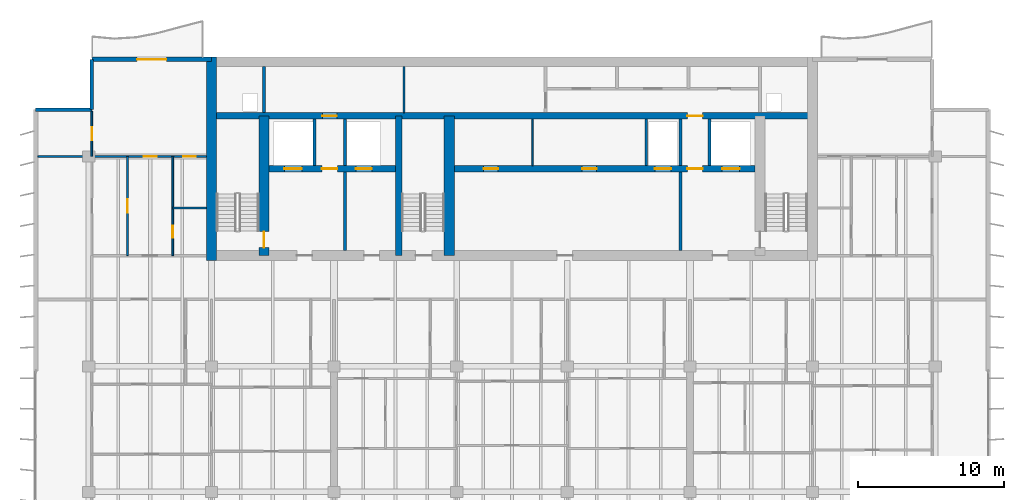
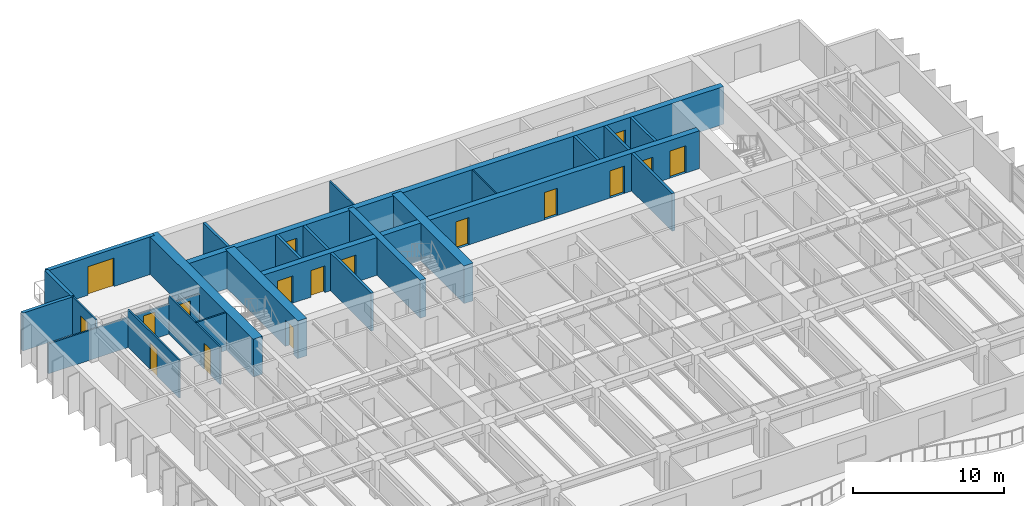
# One storey, part 11 of 17: 24 walls, 17 doors, 17 openings.
"""IFC4 building model written with IfcOpenShell, lengths in metres."""

from ifc_helpers import new_model, si_unit, direction, frame, frame_2d, origin, place, context, subcontext, project, spatial, rectangle, extrude, material, layer, layer_set, type_object, element, fill, save


model = new_model("IFC4")

# Units and contexts
model_context = context("Model", 3, precision=1e-05, world=origin(), true_north=direction((0.0, 1.0)))
body_context = subcontext(model_context, "Body", "Model", "MODEL_VIEW")
ifc_project = project(units=[si_unit("LENGTHUNIT", "METRE"), si_unit("AREAUNIT", "SQUARE_METRE"), si_unit("VOLUMEUNIT", "CUBIC_METRE"), si_unit("PLANEANGLEUNIT", "RADIAN"), si_unit("MASSUNIT", "GRAM", prefix="KILO")], contexts=[model_context])

# Site, building, storey
site_placement = place(None, origin())
site = spatial("IfcSite", under=ifc_project, at=site_placement, CompositionType="ELEMENT")
building_placement = place(site_placement, origin())
building = spatial("IfcBuilding", under=site, at=building_placement, Name="Caelmar Bay Residences", CompositionType="ELEMENT")
storey_placement = place(building_placement, frame((0.0, 0.0, 204.89990234375)))
storey = spatial("IfcBuildingStorey", under=building, at=storey_placement, Name="L57", CompositionType="ELEMENT", Elevation=204.89990234375)

# Wall
ifc_material_1 = material(Name="Concrete f'c 55 MPa (8,000 psi)", Category="concrete")
ifc_layer_1 = layer(ifc_material_1, 0.699951171875)
ifc_layer_set_1 = layer_set([ifc_layer_1], Name="Concrete f'c 55 MPa (8,000 psi)")
wall_type_1 = type_object("IfcWallType", Name="SW-COR-700", PredefinedType="SHEAR", material=ifc_layer_set_1)
wall_1_placement = place(storey_placement, frame((18.300048828125, 36.64990234375, 0.0), z_axis=(0.0, 0.0, 1.0), x_axis=(0.0, 1.0, 0.0)))
element("IfcWall", 1, at=wall_1_placement, inside=storey, type_object=wall_type_1, Name="L57 Rear Core West Shear Wall", PredefinedType="SHEAR", context=body_context, shape_type="SweptSolid", body=[
    extrude(rectangle(XDim=13.9501953125, YDim=0.699951171875, at=frame_2d((6.97509765625, 0.0))), origin(), (0.0, 0.0, 1.0), 3.050048828125),
])

# Wall, opening, door
wall_2_placement = place(storey_placement, frame((21.89990234375, 37.0, 0.0), z_axis=(0.0, 0.0, 1.0), x_axis=(0.0, 1.0, 0.0)))
wall_2 = element("IfcWall", 2, at=wall_2_placement, inside=storey, type_object=wall_type_1, Name="L57 Core Structural Web Wall ST1E", PredefinedType="SHEAR", context=body_context, shape_type="SweptSolid", body=[
    extrude(rectangle(XDim=9.574951171875, YDim=0.699951171875, at=frame_2d((4.78759765625, 0.0))), origin(), (0.0, 0.0, 1.0), 3.050048828125),
])
opening_1_placement = place(wall_2_placement, frame((0.550048828125, 0.0, 0.0)))
opening_1 = element("IfcOpeningElement", 3, at=opening_1_placement, cuts=wall_2, Name="Opening D-L57-107", PredefinedType="OPENING", context=body_context, shape_type="SweptSolid", body=[
    extrude(rectangle(XDim=1.10009765625, YDim=2.14990234375, at=frame_2d((0.550048828125, 1.074951171875))), frame((0.0, 0.35986328125, 0.0), z_axis=(0.0, -1.0, 0.0), x_axis=(1.0, 0.0, 0.0)), (0.0, 0.0, 1.0), 0.719970703125),
])
ifc_material_2 = material(Name="Fire-rated steel and walnut architectural door assembly", Category="steel")
ifc_layer_2 = layer(ifc_material_2, 0.050048828125)
ifc_layer_set_2 = layer_set([ifc_layer_2], Name="Fire-rated steel and walnut architectural door assembly")
door_type_1 = type_object("IfcDoorType", Name="D-STAIR-1100", OperationType="NOTDEFINED", PredefinedType="DOOR", material=ifc_layer_set_2)
door_1_placement = place(opening_1_placement, origin())
door_1 = element("IfcDoor", 4, at=door_1_placement, inside=storey, type_object=door_type_1, Name="L57 Firefighting Lobby West Door", OperationType="SINGLE_SWING_LEFT", OverallHeight=2.14990234375, OverallWidth=1.10009765625, PredefinedType="DOOR", context=body_context, shape_type="SweptSolid", body=[
    extrude(rectangle(XDim=1.10009765625, YDim=2.14990234375, at=frame_2d((0.550048828125, 1.074951171875))), frame((0.0, 0.02490234375, 0.0), z_axis=(0.0, -1.0, 0.0), x_axis=(1.0, 0.0, 0.0)), (0.0, 0.0, 1.0), 0.050048828125),
])
fill(opening_1, door_1)

# Walls
wall_3_placement = place(storey_placement, frame((34.60009765625, 37.0, 0.0), z_axis=(0.0, 0.0, 1.0), x_axis=(0.0, 1.0, 0.0)))
element("IfcWall", 5, at=wall_3_placement, inside=storey, type_object=wall_type_1, Name="L57 Core Structural Web Wall ST3E", PredefinedType="SHEAR", context=body_context, shape_type="SweptSolid", body=[
    extrude(rectangle(XDim=9.574951171875, YDim=0.699951171875, at=frame_2d((4.78759765625, 0.0))), origin(), (0.0, 0.0, 1.0), 3.050048828125),
])
ifc_material_3 = material(Name="Concrete f'c 70 MPa (10,000 psi)", Category="concrete")
ifc_layer_3 = layer(ifc_material_3, 0.449951171875)
ifc_layer_set_3 = layer_set([ifc_layer_3], Name="Concrete f'c 70 MPa (10,000 psi)")
wall_type_2 = type_object("IfcWallType", Name="SW-WEB-450", PredefinedType="SHEAR", material=ifc_layer_set_3)
wall_4_placement = place(storey_placement, frame((31.125, 37.0, 0.0), z_axis=(0.0, 0.0, 1.0), x_axis=(0.0, 1.0, 0.0)))
element("IfcWall", 6, at=wall_4_placement, inside=storey, type_object=wall_type_2, Name="L57 Core Structural Web Wall ST3W", PredefinedType="SHEAR", context=body_context, shape_type="SweptSolid", body=[
    extrude(rectangle(XDim=9.574951171875, YDim=0.449951171875, at=frame_2d((4.78759765625, 0.0))), origin(), (0.0, 0.0, 1.0), 3.050048828125),
])

# Wall, openings, doors
wall_5_placement = place(storey_placement, frame((22.25, 42.949951171875, 0.0), z_axis=(0.0, 0.0, 1.0), x_axis=(1.0, 0.0, 0.0)))
wall_5 = element("IfcWall", 7, at=wall_5_placement, inside=storey, type_object=wall_type_2, Name="L57 Core Structural Web Wall LFR", PredefinedType="SHEAR", context=body_context, shape_type="SweptSolid", body=[
    extrude(rectangle(XDim=33.300048828125, YDim=0.449951171875, at=frame_2d((16.64990234375, 0.0))), origin(), (0.0, 0.0, 1.0), 3.050048828125),
])
opening_2_placement = place(wall_5_placement, frame((1.050048828125, 0.0, 0.0)))
opening_2 = element("IfcOpeningElement", 8, at=opening_2_placement, cuts=wall_5, Name="Opening LD2", PredefinedType="OPENING", context=body_context, shape_type="SweptSolid", body=[
    extrude(rectangle(XDim=1.199951171875, YDim=2.199951171875, at=frame_2d((0.60009765625, 1.10009765625))), frame((0.0, 0.23486328125, 0.0), z_axis=(0.0, -1.0, 0.0), x_axis=(1.0, 0.0, 0.0)), (0.0, 0.0, 1.0), 0.469970703125),
])
opening_3_placement = place(wall_5_placement, frame((31.050048828125, 0.0, 0.0)))
opening_3 = element("IfcOpeningElement", 9, at=opening_3_placement, cuts=wall_5, Name="Opening LD2", PredefinedType="OPENING", context=body_context, shape_type="SweptSolid", body=[
    extrude(rectangle(XDim=1.199951171875, YDim=2.199951171875, at=frame_2d((0.60009765625, 1.10009765625))), frame((0.0, 0.23486328125, 0.0), z_axis=(0.0, -1.0, 0.0), x_axis=(1.0, 0.0, 0.0)), (0.0, 0.0, 1.0), 0.469970703125),
])
opening_4_placement = place(wall_5_placement, frame((26.449951171875, 0.0, 0.0)))
opening_4 = element("IfcOpeningElement", 10, at=opening_4_placement, cuts=wall_5, Name="Opening LD1", PredefinedType="OPENING", context=body_context, shape_type="SweptSolid", body=[
    extrude(rectangle(XDim=1.10009765625, YDim=2.199951171875, at=frame_2d((0.550048828125, 1.10009765625))), frame((0.0, 0.23486328125, 0.0), z_axis=(0.0, -1.0, 0.0), x_axis=(1.0, 0.0, 0.0)), (0.0, 0.0, 1.0), 0.469970703125),
])
opening_5_placement = place(wall_5_placement, frame((5.949951171875, 0.0, 0.0)))
opening_5 = element("IfcOpeningElement", 11, at=opening_5_placement, cuts=wall_5, Name="Opening LD1", PredefinedType="OPENING", context=body_context, shape_type="SweptSolid", body=[
    extrude(rectangle(XDim=1.10009765625, YDim=2.199951171875, at=frame_2d((0.550048828125, 1.10009765625))), frame((0.0, 0.23486328125, 0.0), z_axis=(0.0, -1.0, 0.0), x_axis=(1.0, 0.0, 0.0)), (0.0, 0.0, 1.0), 0.469970703125),
])
opening_6_placement = place(wall_5_placement, frame((3.625, 0.0, 0.0)))
opening_6 = element("IfcOpeningElement", 12, at=opening_6_placement, cuts=wall_5, Name="Opening D-L57-108", PredefinedType="OPENING", context=body_context, shape_type="SweptSolid", body=[
    extrude(rectangle(XDim=1.050048828125, YDim=2.14990234375, at=frame_2d((0.52490234375, 1.074951171875))), frame((0.0, 0.23486328125, 0.0), z_axis=(0.0, -1.0, 0.0), x_axis=(1.0, 0.0, 0.0)), (0.0, 0.0, 1.0), 0.469970703125),
])
opening_7_placement = place(wall_5_placement, frame((28.675048828125, 0.0, 0.0)))
opening_7 = element("IfcOpeningElement", 13, at=opening_7_placement, cuts=wall_5, Name="Opening D-L57-111", PredefinedType="OPENING", context=body_context, shape_type="SweptSolid", body=[
    extrude(rectangle(XDim=1.050048828125, YDim=2.14990234375, at=frame_2d((0.52490234375, 1.074951171875))), frame((0.0, 0.23486328125, 0.0), z_axis=(0.0, -1.0, 0.0), x_axis=(1.0, 0.0, 0.0)), (0.0, 0.0, 1.0), 0.469970703125),
])
opening_8_placement = place(wall_5_placement, frame((14.699951171875, 0.0, 0.0)))
opening_8 = element("IfcOpeningElement", 14, at=opening_8_placement, cuts=wall_5, Name="Opening D-L57-114", PredefinedType="OPENING", context=body_context, shape_type="SweptSolid", body=[
    extrude(rectangle(XDim=1.0, YDim=2.199951171875, at=frame_2d((0.5, 1.10009765625))), frame((0.0, 0.23486328125, 0.0), z_axis=(0.0, -1.0, 0.0), x_axis=(1.0, 0.0, 0.0)), (0.0, 0.0, 1.0), 0.469970703125),
])
opening_9_placement = place(wall_5_placement, frame((21.449951171875, 0.0, 0.0)))
opening_9 = element("IfcOpeningElement", 15, at=opening_9_placement, cuts=wall_5, Name="Opening D-L57-115", PredefinedType="OPENING", context=body_context, shape_type="SweptSolid", body=[
    extrude(rectangle(XDim=1.0, YDim=2.199951171875, at=frame_2d((0.5, 1.10009765625))), frame((0.0, 0.23486328125, 0.0), z_axis=(0.0, -1.0, 0.0), x_axis=(1.0, 0.0, 0.0)), (0.0, 0.0, 1.0), 0.469970703125),
])
ifc_layer_4 = layer(ifc_material_2, 0.050048828125)
ifc_layer_set_4 = layer_set([ifc_layer_4], Name="Fire-rated steel and walnut architectural door assembly")
door_type_2 = type_object("IfcDoorType", Name="D-FSAE-1050", OperationType="NOTDEFINED", PredefinedType="DOOR", material=ifc_layer_set_4)
door_2_placement = place(opening_6_placement, origin())
door_2 = element("IfcDoor", 16, at=door_2_placement, inside=storey, type_object=door_type_2, Name="L57 Firefighting Lobby West Door", OperationType="SINGLE_SWING_RIGHT", OverallHeight=2.14990234375, OverallWidth=1.050048828125, PredefinedType="DOOR", context=body_context, shape_type="SweptSolid", body=[
    extrude(rectangle(XDim=1.050048828125, YDim=2.14990234375, at=frame_2d((0.52490234375, 1.074951171875))), frame((0.0, 0.02490234375, 0.0), z_axis=(0.0, -1.0, 0.0), x_axis=(1.0, 0.0, 0.0)), (0.0, 0.0, 1.0), 0.050048828125),
])
fill(opening_6, door_2)
door_3_placement = place(opening_7_placement, origin())
door_3 = element("IfcDoor", 17, at=door_3_placement, inside=storey, type_object=door_type_2, Name="L57 Firefighting Lobby East Door", OperationType="SINGLE_SWING_LEFT", OverallHeight=2.14990234375, OverallWidth=1.050048828125, PredefinedType="DOOR", context=body_context, shape_type="SweptSolid", body=[
    extrude(rectangle(XDim=1.050048828125, YDim=2.14990234375, at=frame_2d((0.52490234375, 1.074951171875))), frame((0.0, 0.02490234375, 0.0), z_axis=(0.0, -1.0, 0.0), x_axis=(1.0, 0.0, 0.0)), (0.0, 0.0, 1.0), 0.050048828125),
])
fill(opening_7, door_3)
ifc_material_4 = material(Name="Brushed bronze stainless-steel fire-rated lift landing doors", Category="steel")
ifc_layer_5 = layer(ifc_material_4, 0.050048828125)
ifc_layer_set_5 = layer_set([ifc_layer_5], Name="Brushed bronze stainless-steel fire-rated lift landing doors")
door_type_3 = type_object("IfcDoorType", Name="D-LND-1100", OperationType="DOUBLE_DOOR_SLIDING", PredefinedType="DOOR", material=ifc_layer_set_5)
door_4_placement = place(opening_4_placement, origin())
door_4 = element("IfcDoor", 18, at=door_4_placement, inside=storey, type_object=door_type_3, Name="L57 LP6 Sliding Landing Door", OperationType="DOUBLE_DOOR_SLIDING", OverallHeight=2.199951171875, OverallWidth=1.10009765625, PredefinedType="DOOR", context=body_context, shape_type="SweptSolid", body=[
    extrude(rectangle(XDim=1.10009765625, YDim=2.199951171875, at=frame_2d((0.550048828125, 1.10009765625))), frame((0.0, 0.02490234375, 0.0), z_axis=(0.0, -1.0, 0.0), x_axis=(1.0, 0.0, 0.0)), (0.0, 0.0, 1.0), 0.050048828125),
])
fill(opening_4, door_4)
door_5_placement = place(opening_5_placement, origin())
door_5 = element("IfcDoor", 19, at=door_5_placement, inside=storey, type_object=door_type_3, Name="L57 LP7 Sliding Landing Door", OperationType="DOUBLE_DOOR_SLIDING", OverallHeight=2.199951171875, OverallWidth=1.10009765625, PredefinedType="DOOR", context=body_context, shape_type="SweptSolid", body=[
    extrude(rectangle(XDim=1.10009765625, YDim=2.199951171875, at=frame_2d((0.550048828125, 1.10009765625))), frame((0.0, 0.02490234375, 0.0), z_axis=(0.0, -1.0, 0.0), x_axis=(1.0, 0.0, 0.0)), (0.0, 0.0, 1.0), 0.050048828125),
])
fill(opening_5, door_5)
ifc_material_5 = material(Name="Brushed stainless-steel FSAE sliding landing door", Category="steel")
ifc_layer_6 = layer(ifc_material_5, 0.050048828125)
ifc_layer_set_6 = layer_set([ifc_layer_6], Name="Brushed stainless-steel FSAE sliding landing door")
door_type_4 = type_object("IfcDoorType", Name="D-LND-1200", OperationType="DOUBLE_DOOR_SLIDING", PredefinedType="DOOR", material=ifc_layer_set_6)
door_6_placement = place(opening_2_placement, origin())
door_6 = element("IfcDoor", 20, at=door_6_placement, inside=storey, type_object=door_type_4, Name="L57 LF1 Sliding Landing Door", OperationType="DOUBLE_DOOR_SLIDING", OverallHeight=2.199951171875, OverallWidth=1.199951171875, PredefinedType="DOOR", context=body_context, shape_type="SweptSolid", body=[
    extrude(rectangle(XDim=1.199951171875, YDim=2.199951171875, at=frame_2d((0.60009765625, 1.10009765625))), frame((0.0, 0.02490234375, 0.0), z_axis=(0.0, -1.0, 0.0), x_axis=(1.0, 0.0, 0.0)), (0.0, 0.0, 1.0), 0.050048828125),
])
fill(opening_2, door_6)
door_7_placement = place(opening_3_placement, origin())
door_7 = element("IfcDoor", 21, at=door_7_placement, inside=storey, type_object=door_type_4, Name="L57 LF2 Sliding Landing Door", OperationType="DOUBLE_DOOR_SLIDING", OverallHeight=2.199951171875, OverallWidth=1.199951171875, PredefinedType="DOOR", context=body_context, shape_type="SweptSolid", body=[
    extrude(rectangle(XDim=1.199951171875, YDim=2.199951171875, at=frame_2d((0.60009765625, 1.10009765625))), frame((0.0, 0.02490234375, 0.0), z_axis=(0.0, -1.0, 0.0), x_axis=(1.0, 0.0, 0.0)), (0.0, 0.0, 1.0), 0.050048828125),
])
fill(opening_3, door_7)
ifc_layer_7 = layer(ifc_material_2, 0.050048828125)
ifc_layer_set_7 = layer_set([ifc_layer_7], Name="Fire-rated steel and walnut architectural door assembly")
door_type_5 = type_object("IfcDoorType", Name="D-UNIT-1000", OperationType="NOTDEFINED", PredefinedType="DOOR", material=ifc_layer_set_7)
door_8_placement = place(opening_8_placement, origin())
door_8 = element("IfcDoor", 22, at=door_8_placement, inside=storey, type_object=door_type_5, Name="L57 Executive Study Door", OperationType="SINGLE_SWING_RIGHT", OverallHeight=2.199951171875, OverallWidth=1.0, PredefinedType="DOOR", context=body_context, shape_type="SweptSolid", body=[
    extrude(rectangle(XDim=1.0, YDim=2.199951171875, at=frame_2d((0.5, 1.10009765625))), frame((0.0, 0.02490234375, 0.0), z_axis=(0.0, -1.0, 0.0), x_axis=(1.0, 0.0, 0.0)), (0.0, 0.0, 1.0), 0.050048828125),
])
fill(opening_8, door_8)
door_9_placement = place(opening_9_placement, origin())
door_9 = element("IfcDoor", 23, at=door_9_placement, inside=storey, type_object=door_type_5, Name="L57 Residents Reading Lounge Door", OperationType="SINGLE_SWING_LEFT", OverallHeight=2.199951171875, OverallWidth=1.0, PredefinedType="DOOR", context=body_context, shape_type="SweptSolid", body=[
    extrude(rectangle(XDim=1.0, YDim=2.199951171875, at=frame_2d((0.5, 1.10009765625))), frame((0.0, 0.02490234375, 0.0), z_axis=(0.0, -1.0, 0.0), x_axis=(1.0, 0.0, 0.0)), (0.0, 0.0, 1.0), 0.050048828125),
])
fill(opening_9, door_9)

wall_6_placement = place(storey_placement, frame((18.300048828125, 46.574951171875, 0.0), z_axis=(0.0, 0.0, 1.0), x_axis=(1.0, 0.0, 0.0)))
wall_6 = element("IfcWall", 24, at=wall_6_placement, inside=storey, type_object=wall_type_2, Name="L57 Core Structural Web Wall SRVS", PredefinedType="SHEAR", context=body_context, shape_type="SweptSolid", body=[
    extrude(rectangle(XDim=41.199951171875, YDim=0.449951171875, at=frame_2d((20.60009765625, 0.0))), origin(), (0.0, 0.0, 1.0), 3.050048828125),
])
opening_10_placement = place(wall_6_placement, frame((7.60009765625, 0.0, 0.0)))
opening_10 = element("IfcOpeningElement", 25, at=opening_10_placement, cuts=wall_6, Name="Opening D-L57-116", PredefinedType="OPENING", context=body_context, shape_type="SweptSolid", body=[
    extrude(rectangle(XDim=1.0, YDim=2.199951171875, at=frame_2d((0.5, 1.10009765625))), frame((0.0, 0.23486328125, 0.0), z_axis=(0.0, -1.0, 0.0), x_axis=(1.0, 0.0, 0.0)), (0.0, 0.0, 1.0), 0.469970703125),
])
opening_11_placement = place(wall_6_placement, frame((32.625, 0.0, 0.0)))
opening_11 = element("IfcOpeningElement", 26, at=opening_11_placement, cuts=wall_6, Name="Opening D-L57-117", PredefinedType="OPENING", context=body_context, shape_type="SweptSolid", body=[
    extrude(rectangle(XDim=1.050048828125, YDim=2.14990234375, at=frame_2d((0.52490234375, 1.074951171875))), frame((0.0, 0.23486328125, 0.0), z_axis=(0.0, -1.0, 0.0), x_axis=(1.0, 0.0, 0.0)), (0.0, 0.0, 1.0), 0.469970703125),
])
door_10_placement = place(opening_11_placement, origin())
door_10 = element("IfcDoor", 27, at=door_10_placement, inside=storey, type_object=door_type_2, Name="L57 East Core Service Corridor Door", OperationType="SINGLE_SWING_LEFT", OverallHeight=2.14990234375, OverallWidth=1.050048828125, PredefinedType="DOOR", context=body_context, shape_type="SweptSolid", body=[
    extrude(rectangle(XDim=1.050048828125, YDim=2.14990234375, at=frame_2d((0.52490234375, 1.074951171875))), frame((0.0, 0.02490234375, 0.0), z_axis=(0.0, -1.0, 0.0), x_axis=(1.0, 0.0, 0.0)), (0.0, 0.0, 1.0), 0.050048828125),
])
fill(opening_11, door_10)
door_11_placement = place(opening_10_placement, origin())
door_11 = element("IfcDoor", 28, at=door_11_placement, inside=storey, type_object=door_type_5, Name="L57 Package Concierge Office Door", OperationType="SINGLE_SWING_RIGHT", OverallHeight=2.199951171875, OverallWidth=1.0, PredefinedType="DOOR", context=body_context, shape_type="SweptSolid", body=[
    extrude(rectangle(XDim=1.0, YDim=2.199951171875, at=frame_2d((0.5, 1.10009765625))), frame((0.0, 0.02490234375, 0.0), z_axis=(0.0, -1.0, 0.0), x_axis=(1.0, 0.0, 0.0)), (0.0, 0.0, 1.0), 0.050048828125),
])
fill(opening_10, door_11)

# Walls
ifc_material_6 = material(Name="Precast concrete f'c 40 MPa (6,000 psi)", Category="concrete")
ifc_layer_8 = layer(ifc_material_6, 0.25)
ifc_layer_set_8 = layer_set([ifc_layer_8], Name="Precast concrete f'c 40 MPa (6,000 psi)")
wall_type_3 = type_object("IfcWallType", Name="W-EXT-250", PredefinedType="ELEMENTEDWALL", material=ifc_layer_set_8)
wall_7_placement = place(storey_placement, frame((6.25, 47.0, 0.0), z_axis=(0.0, 0.0, 1.0), x_axis=(1.0, 0.0, 0.0)))
element("IfcWall", 29, at=wall_7_placement, inside=storey, type_object=wall_type_3, Name="L57 NNW-H Notch Wall", PredefinedType="ELEMENTEDWALL", context=body_context, shape_type="SweptSolid", body=[
    extrude(rectangle(XDim=3.85009765625, YDim=0.25, at=frame_2d((1.925048828125, 0.0))), origin(), (0.0, 0.0, 1.0), 3.050048828125),
])
wall_8_placement = place(storey_placement, frame((10.10009765625, 47.0, 0.0), z_axis=(0.0, 0.0, 1.0), x_axis=(0.0, 1.0, 0.0)))
element("IfcWall", 30, at=wall_8_placement, inside=storey, type_object=wall_type_3, Name="L57 NNW-V Notch Wall", PredefinedType="ELEMENTEDWALL", context=body_context, shape_type="SweptSolid", body=[
    extrude(rectangle(XDim=3.449951171875, YDim=0.25, at=frame_2d((1.72509765625, 0.0))), origin(), (0.0, 0.0, 1.0), 3.050048828125),
])

# Wall, opening, door
ifc_layer_9 = layer(ifc_material_6, 0.300048828125)
ifc_layer_set_9 = layer_set([ifc_layer_9], Name="Precast concrete f'c 40 MPa (6,000 psi)")
wall_type_4 = type_object("IfcWallType", Name="W-EXT-300", PredefinedType="STANDARD", material=ifc_layer_set_9)
wall_9_placement = place(storey_placement, frame((10.10009765625, 50.449951171875, 0.0), z_axis=(0.0, 0.0, 1.0), x_axis=(1.0, 0.0, 0.0)))
wall_9 = element("IfcWall", 31, at=wall_9_placement, inside=storey, type_object=wall_type_4, Name="L57 North-West Wing Exterior Wall", PredefinedType="STANDARD", context=body_context, shape_type="SweptSolid", body=[
    extrude(rectangle(XDim=8.199951171875, YDim=0.300048828125, at=frame_2d((4.10009765625, 0.0))), origin(), (0.0, 0.0, 1.0), 3.050048828125),
])
opening_12_placement = place(wall_9_placement, frame((3.10009765625, 0.0, 0.0)))
opening_12 = element("IfcOpeningElement", 32, at=opening_12_placement, cuts=wall_9, Name="Opening L57-BDNW", PredefinedType="OPENING", context=body_context, shape_type="SweptSolid", body=[
    extrude(rectangle(XDim=2.0, YDim=2.300048828125, at=frame_2d((1.0, 1.14990234375))), frame((0.0, 0.159912109375, 0.0), z_axis=(0.0, -1.0, 0.0), x_axis=(1.0, 0.0, 0.0)), (0.0, 0.0, 1.0), 0.320068359375),
])
ifc_material_7 = material(Name="Anodised bronze thermally broken sliding glass door", Category="glass")
ifc_layer_10 = layer(ifc_material_7, 0.050048828125)
ifc_layer_set_10 = layer_set([ifc_layer_10], Name="Anodised bronze thermally broken sliding glass door")
door_type_6 = type_object("IfcDoorType", Name="D-BAL-2000", OperationType="DOUBLE_DOOR_SLIDING", PredefinedType="DOOR", material=ifc_layer_set_10)
door_12_placement = place(opening_12_placement, origin())
door_12 = element("IfcDoor", 33, at=door_12_placement, inside=storey, type_object=door_type_6, Name="L57 North-West Balcony Door", OperationType="DOUBLE_DOOR_SLIDING", OverallHeight=2.300048828125, OverallWidth=2.0, PredefinedType="DOOR", context=body_context, shape_type="SweptSolid", body=[
    extrude(rectangle(XDim=2.0, YDim=2.300048828125, at=frame_2d((1.0, 1.14990234375))), frame((0.0, 0.02490234375, 0.0), z_axis=(0.0, -1.0, 0.0), x_axis=(1.0, 0.0, 0.0)), (0.0, 0.0, 1.0), 0.050048828125),
])
fill(opening_12, door_12)

# Walls
ifc_material_8 = material(Name="Fire-rated masonry and gypsum shaftliner assembly 200 mm", Category="masonry")
ifc_layer_11 = layer(ifc_material_8, 0.199951171875)
ifc_layer_set_11 = layer_set([ifc_layer_11], Name="Fire-rated masonry and gypsum shaftliner assembly 200 mm")
wall_type_5 = type_object("IfcWallType", Name="W-FSAE-200", PredefinedType="PARTITIONING", material=ifc_layer_set_11)
wall_10_placement = place(storey_placement, frame((21.89990234375, 46.794921875, 0.0), z_axis=(0.0, 0.0, 1.0), x_axis=(0.0, 1.0, 0.0)))
element("IfcWall", 34, at=wall_10_placement, inside=storey, type_object=wall_type_5, Name="L57 Partition Wall V010", PredefinedType="PARTITIONING", context=body_context, shape_type="SweptSolid", body=[
    extrude(rectangle(XDim=3.16015625, YDim=0.199951171875, at=frame_2d((1.580078125, 0.0))), origin(), (0.0, 0.0, 1.0), 3.050048828125),
])
wall_11_placement = place(storey_placement, frame((25.35009765625, 43.169921875, 0.0), z_axis=(0.0, 0.0, 1.0), x_axis=(0.0, 1.0, 0.0)))
element("IfcWall", 35, at=wall_11_placement, inside=storey, type_object=wall_type_5, Name="L57 Partition Wall V012", PredefinedType="PARTITIONING", context=body_context, shape_type="SweptSolid", body=[
    extrude(rectangle(XDim=3.18505859375, YDim=0.199951171875, at=frame_2d((1.592529296875, 0.0))), origin(), (0.0, 0.0, 1.0), 3.050048828125),
])
wall_12_placement = place(storey_placement, frame((27.449951171875, 37.344970703125, 0.0), z_axis=(0.0, 0.0, 1.0), x_axis=(0.0, 1.0, 0.0)))
element("IfcWall", 36, at=wall_12_placement, inside=storey, type_object=wall_type_5, Name="L57 Partition Wall V016", PredefinedType="PARTITIONING", context=body_context, shape_type="SweptSolid", body=[
    extrude(rectangle(XDim=5.385009765625, YDim=0.199951171875, at=frame_2d((2.6923828125, 0.0))), origin(), (0.0, 0.0, 1.0), 3.050048828125),
])
for number, where, z_axis, x_axis, name in (
    (37, (27.449951171875, 43.169921875, 0.0), (0.0, 0.0, 1.0), (0.0, 1.0, 0.0), "L57 Partition Wall V017"),
    (38, (48.10009765625, 43.169921875, 0.0), (0.0, 0.0, 1.0), (0.0, 1.0, 0.0), "L57 Partition Wall V029"),
):
    element("IfcWall", number, at=place(storey_placement, frame(where, z_axis=z_axis, x_axis=x_axis)), inside=storey, type_object=wall_type_5, Name=name, PredefinedType="PARTITIONING", context=body_context, shape_type="SweptSolid", body=[
        extrude(rectangle(XDim=3.18505859375, YDim=0.199951171875, at=frame_2d((1.592529296875, 0.0))), origin(), (0.0, 0.0, 1.0), 3.050048828125),
    ])
wall_13_placement = place(storey_placement, frame((50.449951171875, 37.344970703125, 0.0), z_axis=(0.0, 0.0, 1.0), x_axis=(0.0, 1.0, 0.0)))
element("IfcWall", 39, at=wall_13_placement, inside=storey, type_object=wall_type_5, Name="L57 Partition Wall V031", PredefinedType="PARTITIONING", context=body_context, shape_type="SweptSolid", body=[
    extrude(rectangle(XDim=5.385009765625, YDim=0.199951171875, at=frame_2d((2.6923828125, 0.0))), origin(), (0.0, 0.0, 1.0), 3.050048828125),
])
for number, where, z_axis, x_axis, name in (
    (40, (50.449951171875, 43.169921875, 0.0), (0.0, 0.0, 1.0), (0.0, 1.0, 0.0), "L57 Partition Wall V032"),
    (41, (52.449951171875, 43.169921875, 0.0), (0.0, 0.0, 1.0), (0.0, 1.0, 0.0), "L57 Partition Wall V037"),
):
    element("IfcWall", number, at=place(storey_placement, frame(where, z_axis=z_axis, x_axis=x_axis)), inside=storey, type_object=wall_type_5, Name=name, PredefinedType="PARTITIONING", context=body_context, shape_type="SweptSolid", body=[
        extrude(rectangle(XDim=3.18505859375, YDim=0.199951171875, at=frame_2d((1.592529296875, 0.0))), origin(), (0.0, 0.0, 1.0), 3.050048828125),
    ])
ifc_material_9 = material(Name="Anodised bronze framed acoustic sliding study partition 100 mm")
ifc_layer_12 = layer(ifc_material_9, 0.10009765625)
ifc_layer_set_12 = layer_set([ifc_layer_12], Name="Anodised bronze framed acoustic sliding study partition 100 mm")
wall_type_6 = type_object("IfcWallType", Name="W-MOV-100", PredefinedType="MOVABLE", material=ifc_layer_set_12)
wall_14_placement = place(storey_placement, frame((40.300048828125, 43.169921875, 0.0), z_axis=(0.0, 0.0, 1.0), x_axis=(0.0, 1.0, 0.0)))
element("IfcWall", 42, at=wall_14_placement, inside=storey, type_object=wall_type_6, Name="L57 Partition Wall V023", PredefinedType="MOVABLE", context=body_context, shape_type="SweptSolid", body=[
    extrude(rectangle(XDim=3.18505859375, YDim=0.10009765625, at=frame_2d((1.592529296875, 0.0))), origin(), (0.0, 0.0, 1.0), 3.050048828125),
])

# Wall, opening, door
ifc_material_10 = material(Name="Acoustic metal-stud gypsum partition 120 mm")
ifc_layer_13 = layer(ifc_material_10, 0.1201171875)
ifc_layer_set_13 = layer_set([ifc_layer_13], Name="Acoustic metal-stud gypsum partition 120 mm")
wall_type_7 = type_object("IfcWallType", Name="W-PRT-120", PredefinedType="PARTITIONING", material=ifc_layer_set_13)
wall_15_placement = place(storey_placement, frame((10.10009765625, 43.804931640625, 0.0), z_axis=(0.0, 0.0, 1.0), x_axis=(0.0, 1.0, 0.0)))
wall_15 = element("IfcWall", 43, at=wall_15_placement, inside=storey, type_object=wall_type_7, Name="L57 Partition Wall V004", PredefinedType="PARTITIONING", context=body_context, shape_type="SweptSolid", body=[
    extrude(rectangle(XDim=3.074951171875, YDim=0.1201171875, at=frame_2d((1.53759765625, 0.0))), origin(), (0.0, 0.0, 1.0), 3.050048828125),
])
opening_13_placement = place(wall_15_placement, frame((1.08740234375, 0.0, 0.0)))
opening_13 = element("IfcOpeningElement", 44, at=opening_13_placement, cuts=wall_15, Name="Opening D-L57-164", PredefinedType="OPENING", context=body_context, shape_type="SweptSolid", body=[
    extrude(rectangle(XDim=0.89990234375, YDim=2.14990234375, at=frame_2d((0.449951171875, 1.074951171875))), frame((0.0, 0.070068359375, 0.0), z_axis=(0.0, -1.0, 0.0), x_axis=(1.0, 0.0, 0.0)), (0.0, 0.0, 1.0), 0.14013671875),
])
ifc_material_11 = material(Name="Solid walnut timber interior door leaf and frame", Category="wood")
ifc_layer_14 = layer(ifc_material_11, 0.050048828125)
ifc_layer_set_14 = layer_set([ifc_layer_14], Name="Solid walnut timber interior door leaf and frame")
door_type_7 = type_object("IfcDoorType", Name="D-ROOM-900", OperationType="NOTDEFINED", PredefinedType="DOOR", material=ifc_layer_set_14)
door_13_placement = place(opening_13_placement, origin())
door_13 = element("IfcDoor", 45, at=door_13_placement, inside=storey, type_object=door_type_7, Name="L57 Residence WA North Sitting Alcove Door", OperationType="SINGLE_SWING_RIGHT", OverallHeight=2.14990234375, OverallWidth=0.89990234375, PredefinedType="DOOR", context=body_context, shape_type="SweptSolid", body=[
    extrude(rectangle(XDim=0.89990234375, YDim=2.14990234375, at=frame_2d((0.449951171875, 1.074951171875))), frame((0.0, 0.02490234375, 0.0), z_axis=(0.0, -1.0, 0.0), x_axis=(1.0, 0.0, 0.0)), (0.0, 0.0, 1.0), 0.050048828125),
])
fill(opening_13, door_13)

wall_16_placement = place(storey_placement, frame((12.5419921875, 37.0, 0.0), z_axis=(0.0, 0.0, 1.0), x_axis=(0.0, 1.0, 0.0)))
wall_16 = element("IfcWall", 46, at=wall_16_placement, inside=storey, type_object=wall_type_7, Name="L57 Partition Wall V005", PredefinedType="PARTITIONING", context=body_context, shape_type="SweptSolid", body=[
    extrude(rectangle(XDim=6.800048828125, YDim=0.1201171875, at=frame_2d((3.39990234375, 0.0))), origin(), (0.0, 0.0, 1.0), 3.050048828125),
])
opening_14_placement = place(wall_16_placement, frame((2.949951171875, 0.0, 0.0)))
opening_14 = element("IfcOpeningElement", 47, at=opening_14_placement, cuts=wall_16, Name="Opening D-L57-158", PredefinedType="OPENING", context=body_context, shape_type="SweptSolid", body=[
    extrude(rectangle(XDim=0.89990234375, YDim=2.14990234375, at=frame_2d((0.449951171875, 1.074951171875))), frame((0.0, 0.070068359375, 0.0), z_axis=(0.0, -1.0, 0.0), x_axis=(1.0, 0.0, 0.0)), (0.0, 0.0, 1.0), 0.14013671875),
])
door_14_placement = place(opening_14_placement, origin())
door_14 = element("IfcDoor", 48, at=door_14_placement, inside=storey, type_object=door_type_7, Name="L57 Residence WA Dining Room Door", OperationType="SINGLE_SWING_RIGHT", OverallHeight=2.14990234375, OverallWidth=0.89990234375, PredefinedType="DOOR", context=body_context, shape_type="SweptSolid", body=[
    extrude(rectangle(XDim=0.89990234375, YDim=2.14990234375, at=frame_2d((0.449951171875, 1.074951171875))), frame((0.0, 0.02490234375, 0.0), z_axis=(0.0, -1.0, 0.0), x_axis=(1.0, 0.0, 0.0)), (0.0, 0.0, 1.0), 0.050048828125),
])
fill(opening_14, door_14)

wall_17_placement = place(storey_placement, frame((15.64990234375, 37.0, 0.0), z_axis=(0.0, 0.0, 1.0), x_axis=(0.0, 1.0, 0.0)))
wall_17 = element("IfcWall", 49, at=wall_17_placement, inside=storey, type_object=wall_type_7, Name="L57 Partition Wall V006", PredefinedType="PARTITIONING", context=body_context, shape_type="SweptSolid", body=[
    extrude(rectangle(XDim=6.800048828125, YDim=0.1201171875, at=frame_2d((3.39990234375, 0.0))), origin(), (0.0, 0.0, 1.0), 3.050048828125),
])
opening_15_placement = place(wall_17_placement, frame((1.20703125, 0.0, 0.0)))
opening_15 = element("IfcOpeningElement", 50, at=opening_15_placement, cuts=wall_17, Name="Opening D-L57-161", PredefinedType="OPENING", context=body_context, shape_type="SweptSolid", body=[
    extrude(rectangle(XDim=0.85009765625, YDim=2.10009765625, at=frame_2d((0.425048828125, 1.050048828125))), frame((0.0, 0.070068359375, 0.0), z_axis=(0.0, -1.0, 0.0), x_axis=(1.0, 0.0, 0.0)), (0.0, 0.0, 1.0), 0.14013671875),
])
ifc_layer_15 = layer(ifc_material_11, 0.050048828125)
ifc_layer_set_15 = layer_set([ifc_layer_15], Name="Solid walnut timber interior door leaf and frame")
door_type_8 = type_object("IfcDoorType", Name="D-BATH-850", OperationType="NOTDEFINED", PredefinedType="DOOR", material=ifc_layer_set_15)
door_15_placement = place(opening_15_placement, origin())
door_15 = element("IfcDoor", 51, at=door_15_placement, inside=storey, type_object=door_type_8, Name="L57 Residence WA Walk-In Closet Door", OperationType="SINGLE_SWING_LEFT", OverallHeight=2.10009765625, OverallWidth=0.85009765625, PredefinedType="DOOR", context=body_context, shape_type="SweptSolid", body=[
    extrude(rectangle(XDim=0.85009765625, YDim=2.10009765625, at=frame_2d((0.425048828125, 1.050048828125))), frame((0.0, 0.02490234375, 0.0), z_axis=(0.0, -1.0, 0.0), x_axis=(1.0, 0.0, 0.0)), (0.0, 0.0, 1.0), 0.050048828125),
])
fill(opening_15, door_15)

# Walls
wall_18_placement = place(storey_placement, frame((31.5, 46.794921875, 0.0), z_axis=(0.0, 0.0, 1.0), x_axis=(0.0, 1.0, 0.0)))
element("IfcWall", 52, at=wall_18_placement, inside=storey, type_object=wall_type_7, Name="L57 Partition Wall V019", PredefinedType="PARTITIONING", context=body_context, shape_type="SweptSolid", body=[
    extrude(rectangle(XDim=3.16015625, YDim=0.1201171875, at=frame_2d((1.580078125, 0.0))), origin(), (0.0, 0.0, 1.0), 3.050048828125),
])
wall_19_placement = place(storey_placement, frame((15.64990234375, 40.263916015625, 0.0), z_axis=(0.0, 0.0, 1.0), x_axis=(1.0, 0.0, 0.0)))
element("IfcWall", 53, at=wall_19_placement, inside=storey, type_object=wall_type_7, Name="L57 Partition Wall H072", PredefinedType="PARTITIONING", context=body_context, shape_type="SweptSolid", body=[
    extrude(rectangle(XDim=2.30517578125, YDim=0.1201171875, at=frame_2d((1.152587890625, 0.0))), origin(), (0.0, 0.0, 1.0), 3.050048828125),
])

# Wall, openings, doors
wall_20_placement = place(storey_placement, frame((6.39501953125, 43.800048828125, 0.0), z_axis=(0.0, 0.0, 1.0), x_axis=(1.0, 0.0, 0.0)))
wall_20 = element("IfcWall", 54, at=wall_20_placement, inside=storey, type_object=wall_type_7, Name="L57 Partition Wall H074", PredefinedType="PARTITIONING", context=body_context, shape_type="SweptSolid", body=[
    extrude(rectangle(XDim=11.56005859375, YDim=0.1201171875, at=frame_2d((5.780029296875, 0.0))), origin(), (0.0, 0.0, 1.0), 2.418212890625),
])
opening_16_placement = place(wall_20_placement, frame((7.2509765625, 0.0, 0.0)))
opening_16 = element("IfcOpeningElement", 55, at=opening_16_placement, cuts=wall_20, Name="Opening D-L57-160", PredefinedType="OPENING", context=body_context, shape_type="SweptSolid", body=[
    extrude(rectangle(XDim=0.89990234375, YDim=2.14990234375, at=frame_2d((0.449951171875, 1.074951171875))), frame((0.0, 0.070068359375, 0.0), z_axis=(0.0, -1.0, 0.0), x_axis=(1.0, 0.0, 0.0)), (0.0, 0.0, 1.0), 0.14013671875),
])
opening_17_placement = place(wall_20_placement, frame((9.982421875, 0.0, 0.0)))
opening_17 = element("IfcOpeningElement", 56, at=opening_17_placement, cuts=wall_20, Name="Opening D-L57-162", PredefinedType="OPENING", context=body_context, shape_type="SweptSolid", body=[
    extrude(rectangle(XDim=0.85009765625, YDim=2.10009765625, at=frame_2d((0.425048828125, 1.050048828125))), frame((0.0, 0.070068359375, 0.0), z_axis=(0.0, -1.0, 0.0), x_axis=(1.0, 0.0, 0.0)), (0.0, 0.0, 1.0), 0.14013671875),
])
door_16_placement = place(opening_17_placement, origin())
door_16 = element("IfcDoor", 57, at=door_16_placement, inside=storey, type_object=door_type_8, Name="L57 Residence WA Bathroom Door", OperationType="SINGLE_SWING_RIGHT", OverallHeight=2.10009765625, OverallWidth=0.85009765625, PredefinedType="DOOR", context=body_context, shape_type="SweptSolid", body=[
    extrude(rectangle(XDim=0.85009765625, YDim=2.10009765625, at=frame_2d((0.425048828125, 1.050048828125))), frame((0.0, 0.02490234375, 0.0), z_axis=(0.0, -1.0, 0.0), x_axis=(1.0, 0.0, 0.0)), (0.0, 0.0, 1.0), 0.050048828125),
])
fill(opening_17, door_16)
door_17_placement = place(opening_16_placement, origin())
door_17 = element("IfcDoor", 58, at=door_17_placement, inside=storey, type_object=door_type_7, Name="L57 Residence WA Studio Living and Sleeping Room Door", OperationType="SINGLE_SWING_RIGHT", OverallHeight=2.14990234375, OverallWidth=0.89990234375, PredefinedType="DOOR", context=body_context, shape_type="SweptSolid", body=[
    extrude(rectangle(XDim=0.89990234375, YDim=2.14990234375, at=frame_2d((0.449951171875, 1.074951171875))), frame((0.0, 0.02490234375, 0.0), z_axis=(0.0, -1.0, 0.0), x_axis=(1.0, 0.0, 0.0)), (0.0, 0.0, 1.0), 0.050048828125),
])
fill(opening_16, door_17)

save(model, "model.ifc")
